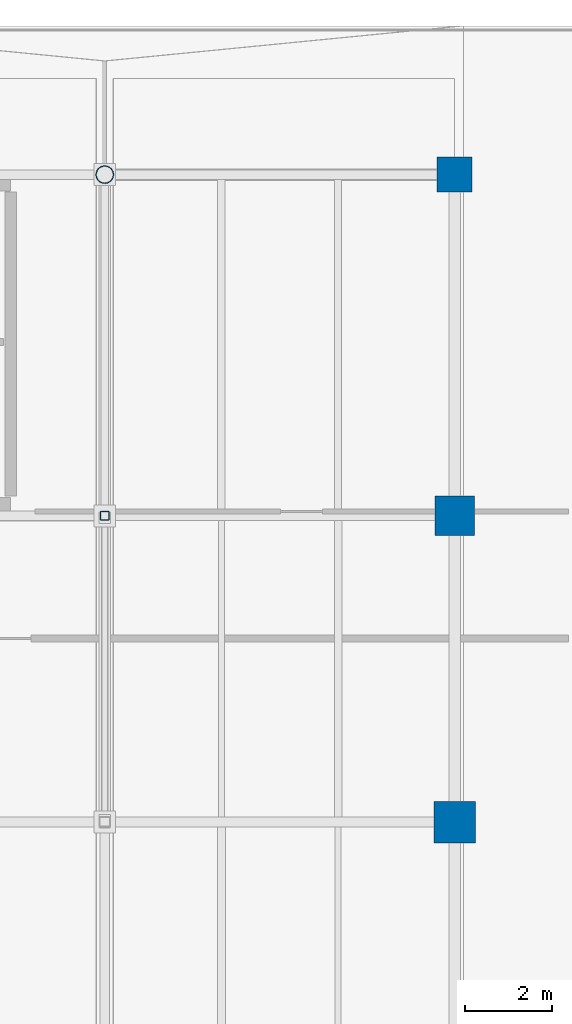
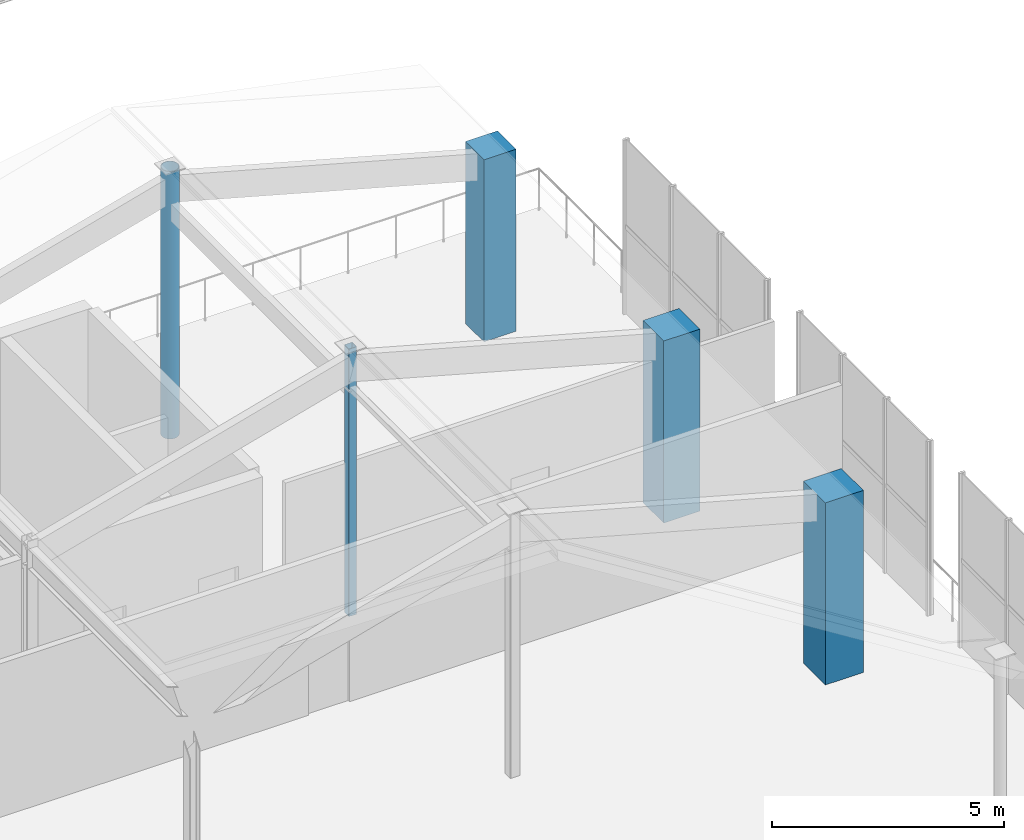
# One storey, part 13 of 70: 5 columns.
"""IFC4 building model written with IfcOpenShell, lengths in metres."""

from ifc_helpers import new_model, si_unit, direction, frame, origin, origin_2d, place, context, subcontext, project, spatial, rectangle, hollow_rectangle, hollow_circle, extrude, material, material_profile, profile_set, type_object, element, save


model = new_model("IFC4")

# Units and contexts
model_context = context("Model", 3, precision=1e-05, world=origin(), true_north=direction((0.0, 1.0)))
body_context = subcontext(model_context, "Body", "Model", "MODEL_VIEW")
ifc_project = project(units=[si_unit("LENGTHUNIT", "METRE"), si_unit("AREAUNIT", "SQUARE_METRE"), si_unit("VOLUMEUNIT", "CUBIC_METRE"), si_unit("PLANEANGLEUNIT", "RADIAN"), si_unit("MASSUNIT", "GRAM", prefix="KILO")], contexts=[model_context])

# Site, building, storey
site_placement = place(None, origin())
site = spatial("IfcSite", under=ifc_project, at=site_placement, CompositionType="ELEMENT")
building_placement = place(site_placement, origin())
building = spatial("IfcBuilding", under=site, at=building_placement, Name="Brisemont Oceanarium", CompositionType="ELEMENT")
storey_placement = place(building_placement, frame((0.0, 0.0, 10.199951171875)))
storey = spatial("IfcBuildingStorey", under=building, at=storey_placement, Name="L02", CompositionType="ELEMENT", Elevation=10.199951171875)

# Columns
ifc_material_1 = material(Name="Structural Steel ASTM A500 Gr.C", Category="steel")
ifc_material_profile_1 = material_profile(ifc_material_1, hollow_circle(Radius=0.202880859375, WallThickness=0.01171875, at=origin_2d()), Name="HSS16.000X0.500")
ifc_profile_set_1 = profile_set([ifc_material_profile_1], Name="Structural Steel ASTM A500 Gr.C")
column_type_1 = type_object("IfcColumnType", Name="COL-CHS16", PredefinedType="COLUMN", material=ifc_profile_set_1)
column_1_placement = place(storey_placement, frame((128.0, 63.800048828125, 0.0), z_axis=(0.0, 0.0, 1.0), x_axis=(1.0, 0.0, 0.0)))
element("IfcColumn", 1, at=column_1_placement, inside=storey, type_object=column_type_1, Name="V5E L02 column (2,4)", PredefinedType="COLUMN", context=body_context, shape_type="SweptSolid", body=[
    extrude(hollow_circle(Radius=0.202880859375, WallThickness=0.01171875, at=origin_2d()), origin(), (0.0, 0.0, 1.0), 7.050048828125),
])
ifc_material_2 = material(Name="Structural Steel ASTM A500 Gr.C", Category="steel")
ifc_material_profile_2 = material_profile(ifc_material_2, hollow_rectangle(XDim=0.202880859375, YDim=0.202880859375, WallThickness=0.0087890625, InnerFilletRadius=0.009033203125, OuterFilletRadius=0.01806640625, at=origin_2d()), Name="HSS8X8X3/8")
ifc_profile_set_2 = profile_set([ifc_material_profile_2], Name="Structural Steel ASTM A500 Gr.C")
column_type_2 = type_object("IfcColumnType", Name="COL-HSS8X8", PredefinedType="COLUMN", material=ifc_profile_set_2)
column_2_placement = place(storey_placement, frame((128.0, 56.0, 0.0), z_axis=(0.0, 0.0, 1.0), x_axis=(0.0, 1.0, 0.0)))
element("IfcColumn", 2, at=column_2_placement, inside=storey, type_object=column_type_2, Name="V5E L02 column (2,3)", PredefinedType="COLUMN", context=body_context, shape_type="SweptSolid", body=[
    extrude(hollow_rectangle(XDim=0.202880859375, YDim=0.202880859375, WallThickness=0.0087890625, InnerFilletRadius=0.009033203125, OuterFilletRadius=0.01806640625, at=origin_2d()), origin(), (0.0, 0.0, 1.0), 7.050048828125),
])
ifc_material_3 = material(Name="Concrete C40/50", Category="concrete")
ifc_material_profile_3 = material_profile(ifc_material_3, rectangle(XDim=0.800048828125, YDim=0.800048828125, at=origin_2d()), Name="RC-COL-800X800")
ifc_profile_set_3 = profile_set([ifc_material_profile_3], Name="Concrete C40/50")
column_type_3 = type_object("IfcColumnType", Name="COL-RC800", PredefinedType="COLUMN", material=ifc_profile_set_3)
column_3_placement = place(storey_placement, frame((136.0, 63.800048828125, 0.0), z_axis=(0.0, 0.0, 1.0), x_axis=(0.0, 1.0, 0.0)))
element("IfcColumn", 3, at=column_3_placement, inside=storey, type_object=column_type_3, Name="V5E L02 column (3,4)", PredefinedType="COLUMN", context=body_context, shape_type="SweptSolid", body=[
    extrude(rectangle(XDim=0.800048828125, YDim=0.800048828125, at=origin_2d()), origin(), (0.0, 0.0, 1.0), 4.800048828125),
])
ifc_material_4 = material(Name="Concrete C40/50", Category="concrete")
ifc_material_profile_4 = material_profile(ifc_material_4, rectangle(XDim=0.89990234375, YDim=0.89990234375, at=origin_2d()), Name="RC-COL-900X900")
ifc_profile_set_4 = profile_set([ifc_material_profile_4], Name="Concrete C40/50")
column_type_4 = type_object("IfcColumnType", Name="COL-RC900", PredefinedType="COLUMN", material=ifc_profile_set_4)
column_4_placement = place(storey_placement, frame((136.0, 56.0, 0.0), z_axis=(0.0, 0.0, 1.0), x_axis=(1.0, 0.0, 0.0)))
element("IfcColumn", 4, at=column_4_placement, inside=storey, type_object=column_type_4, Name="V5E L02 column (3,3)", PredefinedType="COLUMN", context=body_context, shape_type="SweptSolid", body=[
    extrude(rectangle(XDim=0.89990234375, YDim=0.89990234375, at=origin_2d()), origin(), (0.0, 0.0, 1.0), 4.800048828125),
])
ifc_material_5 = material(Name="Concrete C40/50", Category="concrete")
ifc_material_profile_5 = material_profile(ifc_material_5, rectangle(XDim=0.949951171875, YDim=0.949951171875, at=origin_2d()), Name="RC-COL-950X950")
ifc_profile_set_5 = profile_set([ifc_material_profile_5], Name="Concrete C40/50")
column_type_5 = type_object("IfcColumnType", Name="COL-RC950", PredefinedType="COLUMN", material=ifc_profile_set_5)
column_5_placement = place(storey_placement, frame((136.0, 49.0, 0.0), z_axis=(0.0, 0.0, 1.0), x_axis=(0.0, 1.0, 0.0)))
element("IfcColumn", 5, at=column_5_placement, inside=storey, type_object=column_type_5, Name="V5E L02 column (3,2)", PredefinedType="COLUMN", context=body_context, shape_type="SweptSolid", body=[
    extrude(rectangle(XDim=0.949951171875, YDim=0.949951171875, at=origin_2d()), origin(), (0.0, 0.0, 1.0), 4.800048828125),
])

save(model, "model.ifc")
